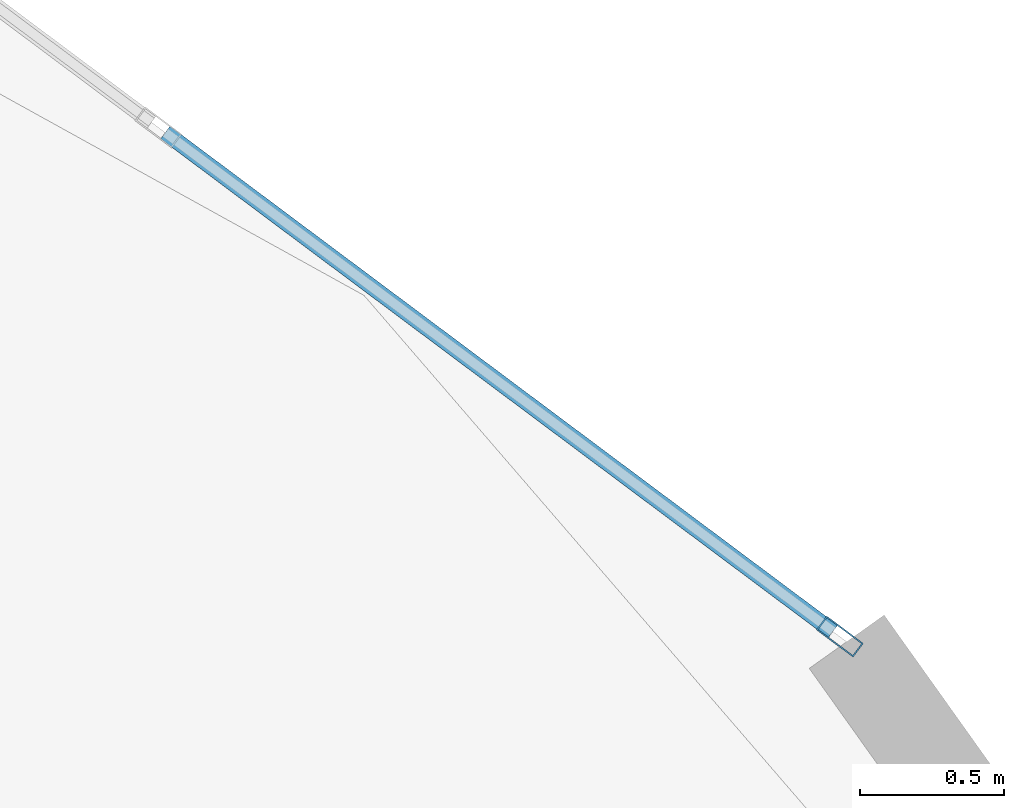
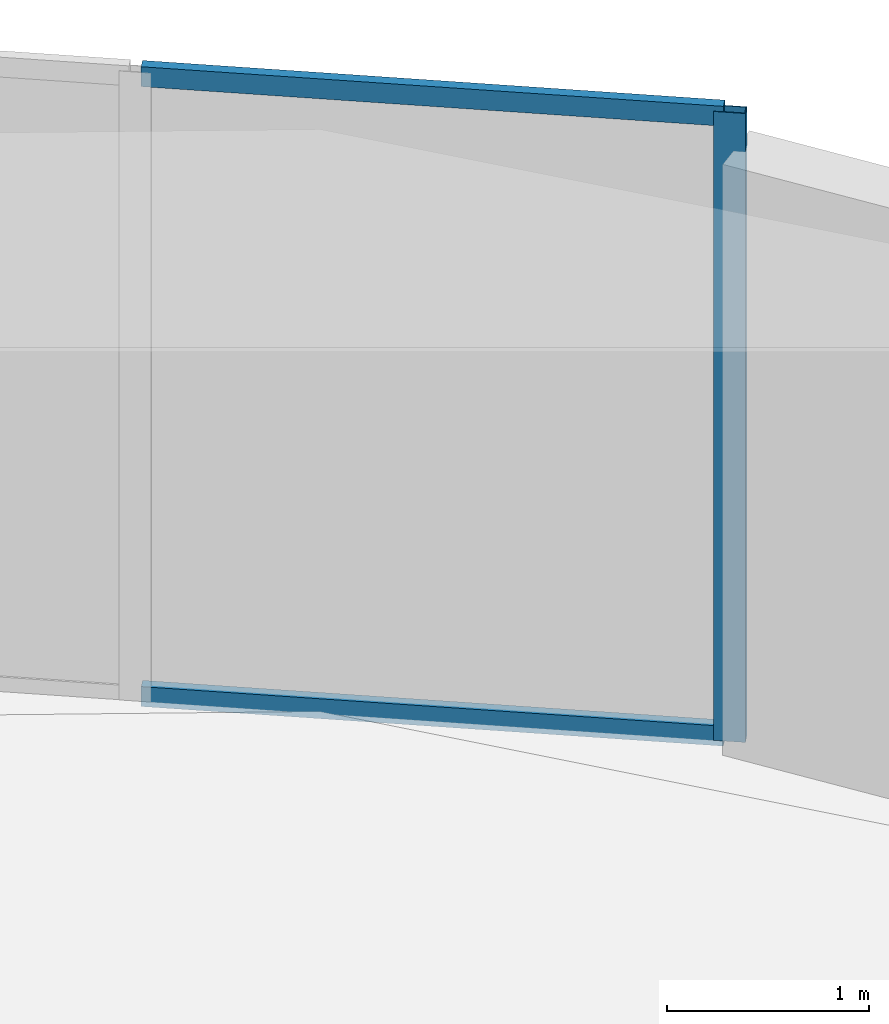
# One storey, part 12 of 18: 3 members, 1 element without a shape of its own.
"""IFC4 building model written with IfcOpenShell, lengths in metres."""

from ifc_helpers import new_model, si_unit, direction, frame, origin, origin_2d, place, context, subcontext, project, spatial, hollow_rectangle, extrude, source, transform, mapped, material, layer, layer_set, material_profile, profile_set, type_object, element, aggregate, save


model = new_model("IFC4")

# Units and contexts
model_context = context("Model", 3, precision=1e-05, world=origin(), true_north=direction((0.0, 1.0)))
body_context = subcontext(model_context, "Body", "Model", "MODEL_VIEW")
ifc_project = project(units=[si_unit("LENGTHUNIT", "METRE"), si_unit("AREAUNIT", "SQUARE_METRE"), si_unit("VOLUMEUNIT", "CUBIC_METRE"), si_unit("PLANEANGLEUNIT", "RADIAN"), si_unit("MASSUNIT", "GRAM", prefix="KILO")], contexts=[model_context])

# Site, building, storey
site_placement = place(None, origin())
site = spatial("IfcSite", under=ifc_project, at=site_placement, CompositionType="ELEMENT")
building_placement = place(site_placement, origin())
building = spatial("IfcBuilding", under=site, at=building_placement, Name="Solvirekh Grand Hotel", CompositionType="ELEMENT")
storey_placement = place(building_placement, frame((0.0, 0.0, 250.60009765625)))
storey = spatial("IfcBuildingStorey", under=building, at=storey_placement, Name="L65", CompositionType="ELEMENT", Elevation=250.60009765625)

# Curtain wall, members
ifc_material = material(Name="Anodized Bronze Aluminium 6063-T6", Category="aluminium")
ifc_layer = layer(ifc_material, 0.159912109375)
ifc_layer_set = layer_set([ifc_layer], Name="Anodized Bronze Aluminium 6063-T6")
curtain_wall_type = type_object("IfcCurtainWallType", Name="CW_Sys4_HighZoneFlushBronzeCW", PredefinedType="NOTDEFINED", material=ifc_layer_set)
curtain_wall_placement = place(storey_placement, origin())
curtain_wall = element("IfcCurtainWall", 1, at=curtain_wall_placement, inside=storey, type_object=curtain_wall_type, Name="L65 unitised bronze-glass curtain wall CW-L65-C08", PredefinedType="NOTDEFINED")
ifc_material_profile_1 = material_profile(ifc_material, hollow_rectangle(XDim=0.06005859375, YDim=0.159912109375, WallThickness=0.0048828125, at=origin_2d()), Name="ALU RHS 160X60X5")
ifc_profile_set_1 = profile_set([ifc_material_profile_1], Name="Anodized Bronze Aluminium 6063-T6")
member_type_1 = type_object("IfcMemberType", Name="CWMullion_Sys4", PredefinedType="MULLION", material=ifc_profile_set_1)
shared_shape_1 = source(origin(), body_context, "Body", "SweptSolid", [
    extrude(hollow_rectangle(XDim=0.06005859375, YDim=0.159912109375, WallThickness=0.0048828125, at=origin_2d()), origin(), (0.0, 0.0, 1.0), 3.7998046875),
])
member_1_placement = place(storey_placement, frame((14.22900390625, 13.7939453125, 0.0), z_axis=(0.0, 0.0, 1.0), x_axis=(-0.598555271523, -0.801081510791, 0.0)))
member_1 = element("IfcMember", 2, at=member_1_placement, type_object=member_type_1, Name="U04 mullion 1", PredefinedType="MULLION", context=body_context, shape_type="MappedRepresentation", body=[
    mapped(shared_shape_1, transform((0.0, 0.0, 0.0), x_axis=(1.0, 0.0, 0.0), y_axis=(0.0, 1.0, 0.0), z_axis=(0.0, 0.0, 1.0), scale=1.0)),
])
ifc_material_profile_2 = material_profile(ifc_material, hollow_rectangle(XDim=0.054931640625, YDim=0.1201171875, WallThickness=0.00390625, at=origin_2d()), Name="ALU RHS 120X55X4")
ifc_profile_set_2 = profile_set([ifc_material_profile_2], Name="Anodized Bronze Aluminium 6063-T6")
member_type_2 = type_object("IfcMemberType", Name="CWTransom_Sys4", PredefinedType="USERDEFINED", material=ifc_profile_set_2)
shared_shape_2 = source(origin(), body_context, "Body", "SweptSolid", [
    extrude(hollow_rectangle(XDim=0.054931640625, YDim=0.1201171875, WallThickness=0.00390625, at=origin_2d()), origin(), (0.0, 0.0, 1.0), 2.902099609375),
])
member_2_placement = place(storey_placement, frame((14.204833984375, 13.81201171875, 0.02734375), z_axis=(-0.801068838486, 0.598572231236, 0.0), x_axis=(-0.598572231236, -0.801068838486, 0.0)))
member_2 = element("IfcMember", 3, at=member_2_placement, type_object=member_type_2, Name="U04 transom 1.1", ObjectType="TRANSOM", PredefinedType="USERDEFINED", context=body_context, shape_type="MappedRepresentation", body=[
    mapped(shared_shape_2, transform((0.0, 0.0, 0.0), x_axis=(1.0, 0.0, 0.0), y_axis=(0.0, 1.0, 0.0), z_axis=(0.0, 0.0, 1.0), scale=1.0)),
])
member_3_placement = place(storey_placement, frame((14.204833984375, 13.81201171875, 3.7724609375), z_axis=(-0.801068838486, 0.598572231236, 0.0), x_axis=(-0.598572231236, -0.801068838486, 0.0)))
member_3 = element("IfcMember", 4, at=member_3_placement, type_object=member_type_2, Name="U04 transom 1.2", ObjectType="TRANSOM", PredefinedType="USERDEFINED", context=body_context, shape_type="MappedRepresentation", body=[
    mapped(shared_shape_2, transform((0.0, 0.0, 0.0), x_axis=(1.0, 0.0, 0.0), y_axis=(0.0, 1.0, 0.0), z_axis=(0.0, 0.0, 1.0), scale=1.0)),
])
aggregate(curtain_wall, [member_1, member_2, member_3])

save(model, "model.ifc")
